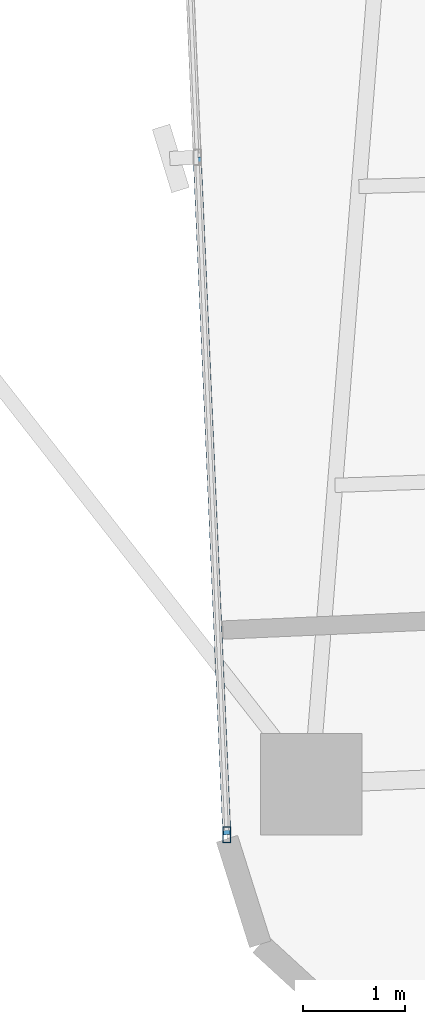
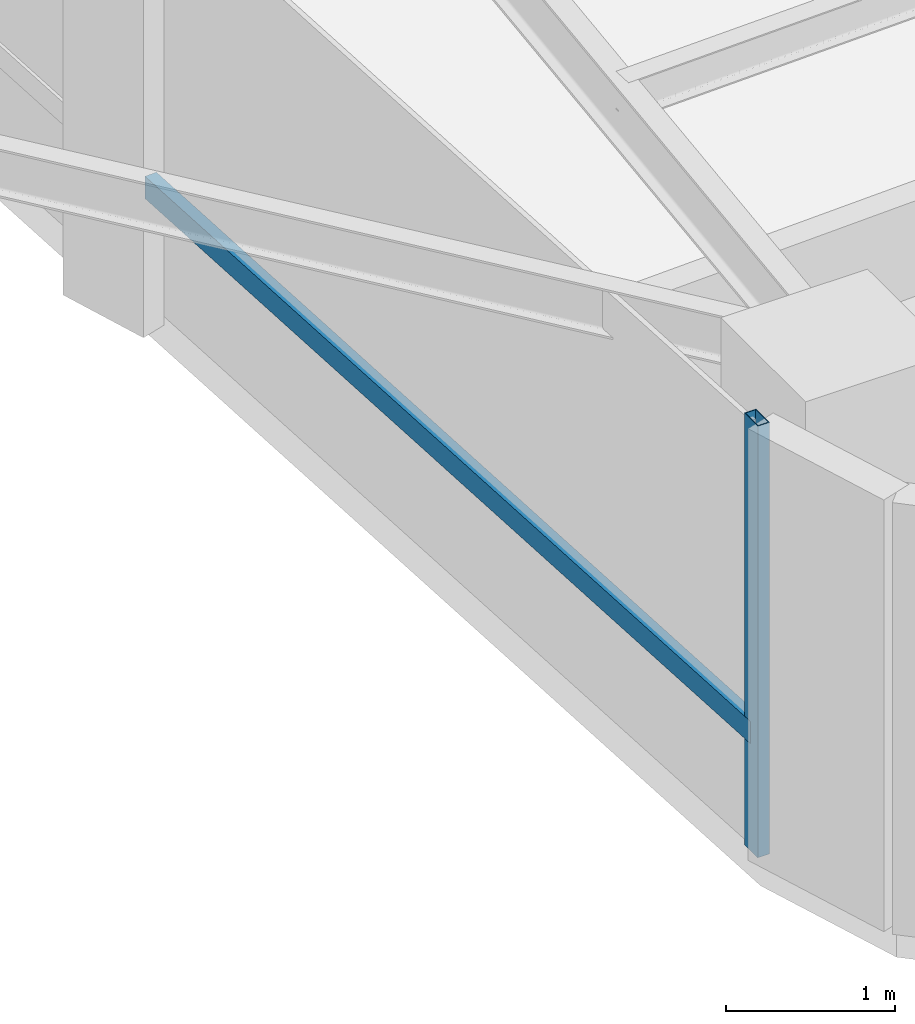
# One storey, part 2 of 26: 2 members, 1 element without a shape of its own.
"""IFC4 building model written with IfcOpenShell, lengths in metres."""

from ifc_helpers import new_model, si_unit, direction, frame, origin, origin_2d, place, context, subcontext, project, spatial, hollow_rectangle, extrude, source, transform, mapped, material, material_profile, profile_set, type_object, element, aggregate, save


model = new_model("IFC4")

# Units and contexts
model_context = context("Model", 3, precision=1e-05, world=origin(), true_north=direction((0.0, 1.0)))
body_context = subcontext(model_context, "Body", "Model", "MODEL_VIEW")
ifc_project = project(units=[si_unit("LENGTHUNIT", "METRE"), si_unit("AREAUNIT", "SQUARE_METRE"), si_unit("VOLUMEUNIT", "CUBIC_METRE"), si_unit("PLANEANGLEUNIT", "RADIAN"), si_unit("MASSUNIT", "GRAM", prefix="KILO")], contexts=[model_context])

# Site, building, storey
site_placement = place(None, origin())
site = spatial("IfcSite", under=ifc_project, at=site_placement, CompositionType="ELEMENT")
building_placement = place(site_placement, origin())
building = spatial("IfcBuilding", under=site, at=building_placement, Name="Sahyath Konkavel Grand Hotel", CompositionType="ELEMENT")
storey_placement = place(building_placement, frame((0.0, 0.0, 128.199951171875)))
storey = spatial("IfcBuildingStorey", under=building, at=storey_placement, Name="L35", CompositionType="ELEMENT", Elevation=128.199951171875)

# Curtain wall, members
ifc_material_1 = material(Name="Anodised Bronze Aluminium & Low-E Glazing", Category="aluminium")
curtain_wall_type = type_object("IfcCurtainWallType", Name="CW-ZONE2", PredefinedType="NOTDEFINED", material=ifc_material_1)
curtain_wall_placement = place(storey_placement, origin())
curtain_wall = element("IfcCurtainWall", 1, at=curtain_wall_placement, inside=storey, type_object=curtain_wall_type, Name="L35 Unitised Curtain Wall F24", PredefinedType="NOTDEFINED")
ifc_material_2 = material(Name="Anodised Bronze Aluminium", Category="aluminium")
ifc_material_profile_1 = material_profile(ifc_material_2, hollow_rectangle(XDim=0.080078125, YDim=0.159912109375, WallThickness=0.006103515625, at=origin_2d()), Name="RHS 160x80x6")
ifc_profile_set_1 = profile_set([ifc_material_profile_1], Name="Anodised Bronze Aluminium")
member_type_1 = type_object("IfcMemberType", Name="CW-MUL-160", PredefinedType="MULLION", material=ifc_profile_set_1)
shared_shape_1 = source(origin(), body_context, "Body", "SweptSolid", [
    extrude(hollow_rectangle(XDim=0.080078125, YDim=0.159912109375, WallThickness=0.006103515625, at=origin_2d()), origin(), (0.0, 0.0, 1.0), 3.110107421875),
])
member_1_placement = place(storey_placement, frame((-5.605224609375, -22.92626953125, 0.0), z_axis=(0.0, 0.0, 1.0), x_axis=(1.0, 0.0, 0.0)))
member_1 = element("IfcMember", 2, at=member_1_placement, type_object=member_type_1, Name="L35 Curtain Wall Mullion F24-2", PredefinedType="MULLION", context=body_context, shape_type="MappedRepresentation", body=[
    mapped(shared_shape_1, transform((0.0, 0.0, 0.0), scale=1.0)),
])
ifc_material_profile_2 = material_profile(ifc_material_2, hollow_rectangle(XDim=0.080078125, YDim=0.159912109375, WallThickness=0.006103515625, at=origin_2d()), Name="RHS 160x80x6")
ifc_profile_set_2 = profile_set([ifc_material_profile_2], Name="Anodised Bronze Aluminium")
member_type_2 = type_object("IfcMemberType", Name="CW-TRN-160", PredefinedType="USERDEFINED", material=ifc_profile_set_2)
shared_shape_2 = source(origin(), body_context, "Body", "SweptSolid", [
    extrude(hollow_rectangle(XDim=0.080078125, YDim=0.159912109375, WallThickness=0.006103515625, at=origin_2d()), origin(), (0.0, 0.0, 1.0), 6.659912109375),
])
member_2_placement = place(storey_placement, frame((-5.895751953125, -16.272705078125, 0.85009765625), z_axis=(0.043623350741, -0.999048048529, 0.0), x_axis=(0.999048048529, 0.043623350741, 0.0)))
member_2 = element("IfcMember", 3, at=member_2_placement, type_object=member_type_2, Name="L35 Curtain Wall Transom F24-1-spandrel", ObjectType="TRANSOM", PredefinedType="USERDEFINED", context=body_context, shape_type="MappedRepresentation", body=[
    mapped(shared_shape_2, transform((0.0, 0.0, 0.0), scale=1.0)),
])
aggregate(curtain_wall, [member_1, member_2])

save(model, "model.ifc")
